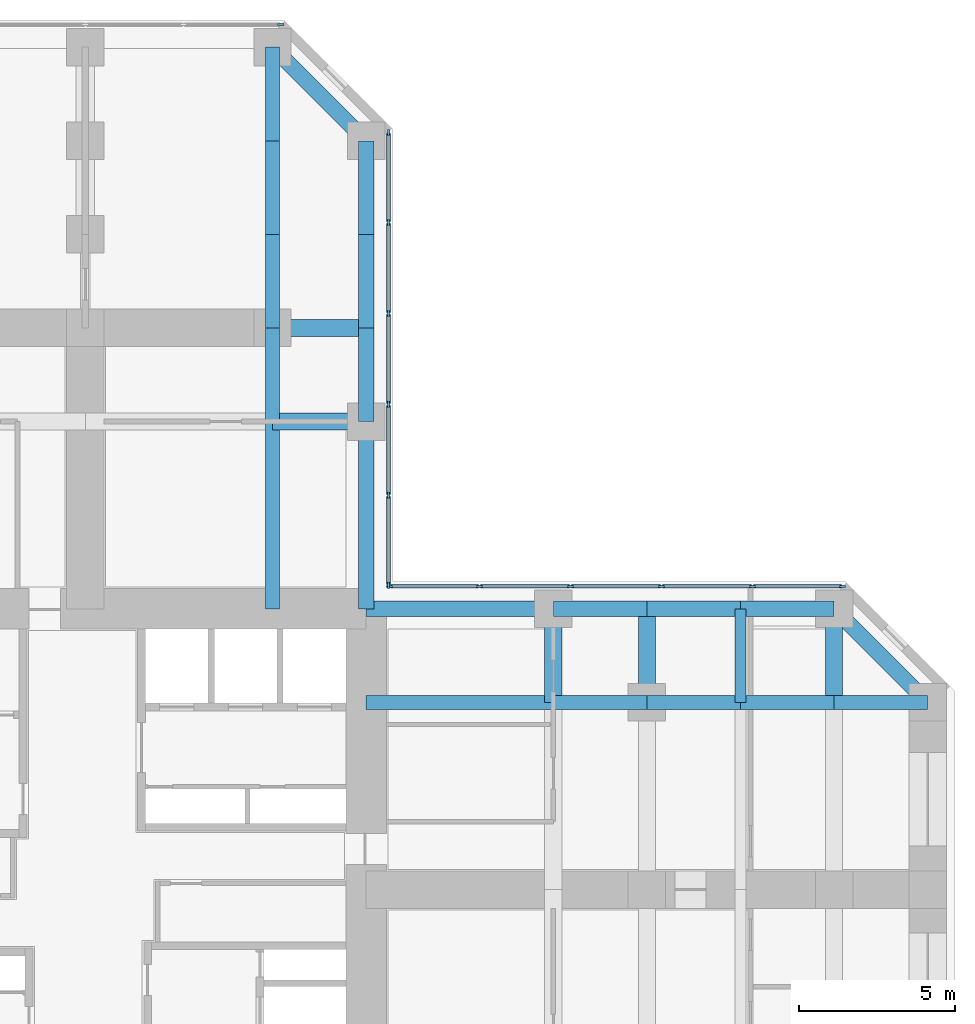
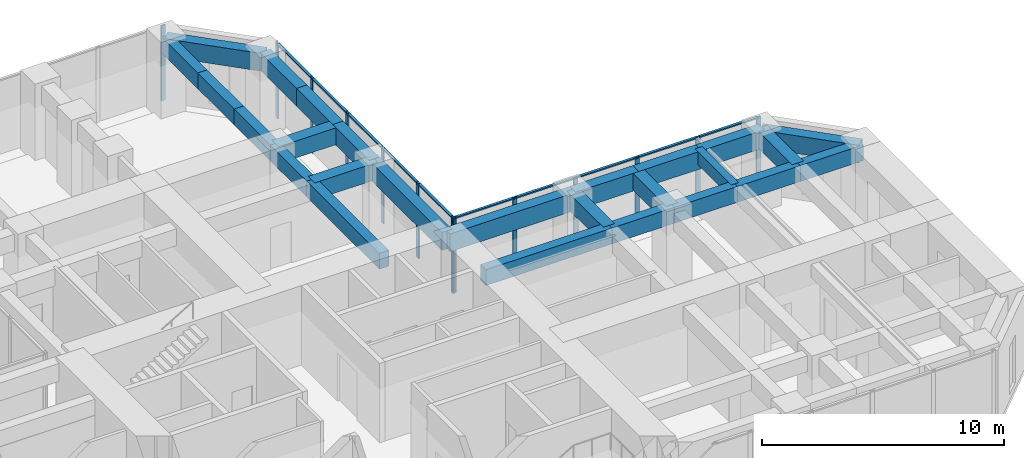
# One storey, part 6 of 13: 26 beams, 23 members, 3 elements without a shape of their own.
"""IFC4 building model written with IfcOpenShell, lengths in metres."""

from ifc_helpers import new_model, si_unit, direction, frame, origin, origin_2d, place, context, subcontext, project, spatial, rectangle, extrude, material, material_profile, profile_set, type_object, element, aggregate, save


model = new_model("IFC4")

# Units and contexts
model_context = context("Model", 3, precision=1e-05, world=origin(), true_north=direction((0.0, 1.0)))
body_context = subcontext(model_context, "Body", "Model", "MODEL_VIEW")
ifc_project = project(units=[si_unit("LENGTHUNIT", "METRE"), si_unit("AREAUNIT", "SQUARE_METRE"), si_unit("VOLUMEUNIT", "CUBIC_METRE"), si_unit("PLANEANGLEUNIT", "RADIAN"), si_unit("MASSUNIT", "GRAM", prefix="KILO")], contexts=[model_context])

# Site, building, storey
site_placement = place(None, origin())
site = spatial("IfcSite", under=ifc_project, at=site_placement, CompositionType="ELEMENT")
building_placement = place(site_placement, origin())
building = spatial("IfcBuilding", under=site, at=building_placement, Name="Torre Cruceta", CompositionType="ELEMENT")
storey_placement = place(building_placement, frame((0.0, 0.0, 51.5)))
storey = spatial("IfcBuildingStorey", under=building, at=storey_placement, Name="L12", CompositionType="ELEMENT", Elevation=51.5)

# Beams
ifc_material_1 = material(Name="Concrete G60 (fck 60 MPa)", Category="concrete")
ifc_material_profile_1 = material_profile(ifc_material_1, rectangle(XDim=0.449951171875, YDim=0.800048828125, at=origin_2d()), Name="RC 450X800")
ifc_profile_set_1 = profile_set([ifc_material_profile_1], Name="Concrete G60 (fck 60 MPa)")
beam_type_1 = type_object("IfcBeamType", Name="COLUMN LINE BEAM RC 450X800", PredefinedType="BEAM", material=ifc_profile_set_1)
beam_1_placement = place(storey_placement, frame((6.0, 9.0, 3.39990234375), z_axis=(0.0, 1.0, 0.0), x_axis=(-1.0, 0.0, 0.0)))
element("IfcBeam", 1, at=beam_1_placement, inside=storey, type_object=beam_type_1, Name="LB1 L12 N col- 1", PredefinedType="BEAM", context=body_context, shape_type="SweptSolid", body=[
    extrude(rectangle(XDim=0.449951171875, YDim=0.800048828125, at=origin_2d()), origin(), (0.0, 0.0, 1.0), 6.0),
])
for number, where, z_axis, x_axis, name in (
    (2, (6.0, 15.0, 3.39990234375), (0.0, 1.0, 0.0), (-1.0, 0.0, 0.0), "LB1 L12 N col- 2"),
    (3, (6.0, 18.0, 3.39990234375), (0.0, 1.0, 0.0), (-1.0, 0.0, 0.0), "LB1 L12 N col- 3"),
    (4, (6.0, 21.0, 3.39990234375), (0.0, 1.0, 0.0), (-1.0, 0.0, 0.0), "LB1 L12 N col- 4"),
    (5, (6.0, 24.0, 3.39990234375), (0.0, 1.0, 0.0), (-1.0, 0.0, 0.0), "LB1 L12 N col- 5"),
):
    element("IfcBeam", number, at=place(storey_placement, frame(where, z_axis=z_axis, x_axis=x_axis)), inside=storey, type_object=beam_type_1, Name=name, PredefinedType="BEAM", context=body_context, shape_type="SweptSolid", body=[
        extrude(rectangle(XDim=0.449951171875, YDim=0.800048828125, at=origin_2d()), origin(), (0.0, 0.0, 1.0), 3.0),
    ])
beam_2_placement = place(storey_placement, frame((9.0, 6.0, 3.39990234375), z_axis=(1.0, 0.0, 0.0), x_axis=(0.0, 1.0, 0.0)))
element("IfcBeam", 6, at=beam_2_placement, inside=storey, type_object=beam_type_1, Name="LB1 L12 E col+ 1", PredefinedType="BEAM", context=body_context, shape_type="SweptSolid", body=[
    extrude(rectangle(XDim=0.449951171875, YDim=0.800048828125, at=origin_2d()), origin(), (0.0, 0.0, 1.0), 6.0),
])
for number, where, z_axis, x_axis, name in (
    (7, (15.0, 6.0, 3.39990234375), (1.0, 0.0, 0.0), (0.0, 1.0, 0.0), "LB1 L12 E col+ 2"),
    (8, (18.0, 6.0, 3.39990234375), (1.0, 0.0, 0.0), (0.0, 1.0, 0.0), "LB1 L12 E col+ 3"),
    (9, (21.0, 6.0, 3.39990234375), (1.0, 0.0, 0.0), (0.0, 1.0, 0.0), "LB1 L12 E col+ 4"),
    (10, (24.0, 6.0, 3.39990234375), (1.0, 0.0, 0.0), (0.0, 1.0, 0.0), "LB1 L12 E col+ 5"),
):
    element("IfcBeam", number, at=place(storey_placement, frame(where, z_axis=z_axis, x_axis=x_axis)), inside=storey, type_object=beam_type_1, Name=name, PredefinedType="BEAM", context=body_context, shape_type="SweptSolid", body=[
        extrude(rectangle(XDim=0.449951171875, YDim=0.800048828125, at=origin_2d()), origin(), (0.0, 0.0, 1.0), 3.0),
    ])
ifc_material_2 = material(Name="Concrete G60 (fck 60 MPa)", Category="concrete")
ifc_material_profile_2 = material_profile(ifc_material_2, rectangle(XDim=0.550048828125, YDim=0.85009765625, at=origin_2d()), Name="RC 550X850")
ifc_profile_set_2 = profile_set([ifc_material_profile_2], Name="Concrete G60 (fck 60 MPa)")
beam_type_2 = type_object("IfcBeamType", Name="CROSS BEAM RC 550X850", PredefinedType="BEAM", material=ifc_profile_set_2)
for number, where, z_axis, x_axis, name in (
    (11, (9.0, 15.0, 3.375), (-1.0, 0.0, 0.0), (0.0, -1.0, 0.0), "GB4 L12 N cross15 1"),
    (12, (9.0, 18.0, 3.375), (-1.0, 0.0, 0.0), (0.0, -1.0, 0.0), "GB4 L12 N cross18 1"),
    (13, (15.0, 6.0, 3.375), (0.0, 1.0, 0.0), (-1.0, 0.0, 0.0), "GB4 L12 E cross15 4"),
    (14, (18.0, 6.0, 3.375), (0.0, 1.0, 0.0), (-1.0, 0.0, 0.0), "GB4 L12 E cross18 4"),
    (15, (24.0, 6.0, 3.375), (0.0, 1.0, 0.0), (-1.0, 0.0, 0.0), "GB4 L12 E cross24 4"),
):
    element("IfcBeam", number, at=place(storey_placement, frame(where, z_axis=z_axis, x_axis=x_axis)), inside=storey, type_object=beam_type_2, Name=name, PredefinedType="BEAM", context=body_context, shape_type="SweptSolid", body=[
        extrude(rectangle(XDim=0.550048828125, YDim=0.85009765625, at=origin_2d()), origin(), (0.0, 0.0, 1.0), 3.0),
    ])

# Curtain wall, members
ifc_material_3 = material(Name="Aluminium unitised curtain wall", Category="aluminium")
curtain_wall_type = type_object("IfcCurtainWallType", Name="CURTAIN WALL CW-A OFFICE LOW RISE", PredefinedType="USERDEFINED", material=ifc_material_3)
curtain_wall_1_placement = place(storey_placement, origin())
curtain_wall_1 = element("IfcCurtainWall", 16, at=curtain_wall_1_placement, inside=storey, type_object=curtain_wall_type, Name="CW-A L12 E side 04", ObjectType="UNITISED", PredefinedType="USERDEFINED")
ifc_material_4 = material(Name="Aluminium mullion", Category="aluminium")
ifc_material_profile_3 = material_profile(ifc_material_4, rectangle(XDim=0.06494140625, YDim=0.199951171875, at=origin_2d()), Name="AL 65X200")
ifc_profile_set_3 = profile_set([ifc_material_profile_3], Name="Aluminium mullion")
member_type_1 = type_object("IfcMemberType", Name="CW-A MULLION 65X200", PredefinedType="MULLION", material=ifc_profile_set_3)
member_1_placement = place(storey_placement, frame((24.265625, 9.719970703125, 0.0), z_axis=(0.0, 0.0, 1.0), x_axis=(0.0, -1.0, 0.0)))
member_1 = element("IfcMember", 17, at=member_1_placement, type_object=member_type_1, Name="CW-A mullion 1", PredefinedType="MULLION", context=body_context, shape_type="SweptSolid", body=[
    extrude(rectangle(XDim=0.06494140625, YDim=0.199951171875, at=origin_2d()), origin(), (0.0, 0.0, 1.0), 3.800048828125),
])
member_2_placement = place(storey_placement, frame((21.382568359375, 9.719970703125, 0.0), z_axis=(0.0, 0.0, 1.0), x_axis=(0.0, -1.0, 0.0)))
member_2 = element("IfcMember", 18, at=member_2_placement, type_object=member_type_1, Name="CW-A mullion 2", PredefinedType="MULLION", context=body_context, shape_type="SweptSolid", body=[
    extrude(rectangle(XDim=0.06494140625, YDim=0.199951171875, at=origin_2d()), origin(), (0.0, 0.0, 1.0), 3.800048828125),
])
member_3_placement = place(storey_placement, frame((18.467041015625, 9.719970703125, 0.0), z_axis=(0.0, 0.0, 1.0), x_axis=(0.0, -1.0, 0.0)))
member_3 = element("IfcMember", 19, at=member_3_placement, type_object=member_type_1, Name="CW-A mullion 3", PredefinedType="MULLION", context=body_context, shape_type="SweptSolid", body=[
    extrude(rectangle(XDim=0.06494140625, YDim=0.199951171875, at=origin_2d()), origin(), (0.0, 0.0, 1.0), 3.800048828125),
])
member_4_placement = place(storey_placement, frame((15.55126953125, 9.719970703125, 0.0), z_axis=(0.0, 0.0, 1.0), x_axis=(0.0, -1.0, 0.0)))
member_4 = element("IfcMember", 20, at=member_4_placement, type_object=member_type_1, Name="CW-A mullion 4", PredefinedType="MULLION", context=body_context, shape_type="SweptSolid", body=[
    extrude(rectangle(XDim=0.06494140625, YDim=0.199951171875, at=origin_2d()), origin(), (0.0, 0.0, 1.0), 3.800048828125),
])
member_5_placement = place(storey_placement, frame((12.6357421875, 9.719970703125, 0.0), z_axis=(0.0, 0.0, 1.0), x_axis=(0.0, -1.0, 0.0)))
member_5 = element("IfcMember", 21, at=member_5_placement, type_object=member_type_1, Name="CW-A mullion 5", PredefinedType="MULLION", context=body_context, shape_type="SweptSolid", body=[
    extrude(rectangle(XDim=0.06494140625, YDim=0.199951171875, at=origin_2d()), origin(), (0.0, 0.0, 1.0), 3.800048828125),
])
member_6_placement = place(storey_placement, frame((9.75244140625, 9.719970703125, 0.0), z_axis=(0.0, 0.0, 1.0), x_axis=(0.0, -1.0, 0.0)))
member_6 = element("IfcMember", 22, at=member_6_placement, type_object=member_type_1, Name="CW-A mullion 6", PredefinedType="MULLION", context=body_context, shape_type="SweptSolid", body=[
    extrude(rectangle(XDim=0.06494140625, YDim=0.199951171875, at=origin_2d()), origin(), (0.0, 0.0, 1.0), 3.800048828125),
])

curtain_wall_2_placement = place(storey_placement, origin())
curtain_wall_2 = element("IfcCurtainWall", 23, at=curtain_wall_2_placement, inside=storey, type_object=curtain_wall_type, Name="CW-A L12 N side 05", ObjectType="UNITISED", PredefinedType="USERDEFINED")
member_7_placement = place(storey_placement, frame((9.719970703125, 9.75244140625, 0.0), z_axis=(0.0, 0.0, 1.0), x_axis=(-1.0, 0.0, 0.0)))
member_7 = element("IfcMember", 24, at=member_7_placement, type_object=member_type_1, Name="CW-A mullion 1", PredefinedType="MULLION", context=body_context, shape_type="SweptSolid", body=[
    extrude(rectangle(XDim=0.06494140625, YDim=0.199951171875, at=origin_2d()), origin(), (0.0, 0.0, 1.0), 3.800048828125),
])
member_8_placement = place(storey_placement, frame((9.719970703125, 12.6357421875, 0.0), z_axis=(0.0, 0.0, 1.0), x_axis=(-1.0, 0.0, 0.0)))
member_8 = element("IfcMember", 25, at=member_8_placement, type_object=member_type_1, Name="CW-A mullion 2", PredefinedType="MULLION", context=body_context, shape_type="SweptSolid", body=[
    extrude(rectangle(XDim=0.06494140625, YDim=0.199951171875, at=origin_2d()), origin(), (0.0, 0.0, 1.0), 3.800048828125),
])
member_9_placement = place(storey_placement, frame((9.719970703125, 15.55126953125, 0.0), z_axis=(0.0, 0.0, 1.0), x_axis=(-1.0, 0.0, 0.0)))
member_9 = element("IfcMember", 26, at=member_9_placement, type_object=member_type_1, Name="CW-A mullion 3", PredefinedType="MULLION", context=body_context, shape_type="SweptSolid", body=[
    extrude(rectangle(XDim=0.06494140625, YDim=0.199951171875, at=origin_2d()), origin(), (0.0, 0.0, 1.0), 3.800048828125),
])
member_10_placement = place(storey_placement, frame((9.719970703125, 18.467041015625, 0.0), z_axis=(0.0, 0.0, 1.0), x_axis=(-1.0, 0.0, 0.0)))
member_10 = element("IfcMember", 27, at=member_10_placement, type_object=member_type_1, Name="CW-A mullion 4", PredefinedType="MULLION", context=body_context, shape_type="SweptSolid", body=[
    extrude(rectangle(XDim=0.06494140625, YDim=0.199951171875, at=origin_2d()), origin(), (0.0, 0.0, 1.0), 3.800048828125),
])
member_11_placement = place(storey_placement, frame((9.719970703125, 21.382568359375, 0.0), z_axis=(0.0, 0.0, 1.0), x_axis=(-1.0, 0.0, 0.0)))
member_11 = element("IfcMember", 28, at=member_11_placement, type_object=member_type_1, Name="CW-A mullion 5", PredefinedType="MULLION", context=body_context, shape_type="SweptSolid", body=[
    extrude(rectangle(XDim=0.06494140625, YDim=0.199951171875, at=origin_2d()), origin(), (0.0, 0.0, 1.0), 3.800048828125),
])
member_12_placement = place(storey_placement, frame((9.719970703125, 24.265625, 0.0), z_axis=(0.0, 0.0, 1.0), x_axis=(-1.0, 0.0, 0.0)))
member_12 = element("IfcMember", 29, at=member_12_placement, type_object=member_type_1, Name="CW-A mullion 6", PredefinedType="MULLION", context=body_context, shape_type="SweptSolid", body=[
    extrude(rectangle(XDim=0.06494140625, YDim=0.199951171875, at=origin_2d()), origin(), (0.0, 0.0, 1.0), 3.800048828125),
])

# Curtain wall, member
curtain_wall_3_placement = place(storey_placement, origin())
curtain_wall_3 = element("IfcCurtainWall", 30, at=curtain_wall_3_placement, inside=storey, type_object=curtain_wall_type, Name="CW-A L12 N tip 07", ObjectType="UNITISED", PredefinedType="USERDEFINED")
member_13_placement = place(storey_placement, frame((6.265625, 27.719970703125, 0.0), z_axis=(0.0, 0.0, 1.0), x_axis=(0.0, -1.0, 0.0)))
member_13 = element("IfcMember", 31, at=member_13_placement, type_object=member_type_1, Name="CW-A mullion 1", PredefinedType="MULLION", context=body_context, shape_type="SweptSolid", body=[
    extrude(rectangle(XDim=0.06494140625, YDim=0.199951171875, at=origin_2d()), origin(), (0.0, 0.0, 1.0), 3.800048828125),
])
aggregate(curtain_wall_3, [member_13])

# Member
ifc_material_5 = material(Name="Aluminium transom", Category="aluminium")
ifc_material_profile_4 = material_profile(ifc_material_5, rectangle(XDim=0.1201171875, YDim=0.06494140625, at=origin_2d()), Name="AL 120X65")
ifc_profile_set_4 = profile_set([ifc_material_profile_4], Name="Aluminium transom")
member_type_2 = type_object("IfcMemberType", Name="CW-A TRANSOM 65X120", PredefinedType="USERDEFINED", material=ifc_profile_set_4)
member_14_placement = place(storey_placement, frame((24.233154296875, 9.719970703125, 3.767578125), z_axis=(-1.0, 0.0, 0.0), x_axis=(0.0, -1.0, 0.0)))
member_14 = element("IfcMember", 32, at=member_14_placement, type_object=member_type_2, Name="CW-A transom 1", ObjectType="TRANSOM", PredefinedType="USERDEFINED", context=body_context, shape_type="SweptSolid", body=[
    extrude(rectangle(XDim=0.1201171875, YDim=0.06494140625, at=origin_2d()), origin(), (0.0, 0.0, 1.0), 2.818115234375),
])

member_15_placement = place(storey_placement, frame((21.35009765625, 9.719970703125, 3.767578125), z_axis=(-1.0, 0.0, 0.0), x_axis=(0.0, -1.0, 0.0)))
member_15 = element("IfcMember", 33, at=member_15_placement, type_object=member_type_2, Name="CW-A transom 2", ObjectType="TRANSOM", PredefinedType="USERDEFINED", context=body_context, shape_type="SweptSolid", body=[
    extrude(rectangle(XDim=0.1201171875, YDim=0.06494140625, at=origin_2d()), origin(), (0.0, 0.0, 1.0), 2.8505859375),
])

member_16_placement = place(storey_placement, frame((18.434326171875, 9.719970703125, 3.767578125), z_axis=(-1.0, 0.0, 0.0), x_axis=(0.0, -1.0, 0.0)))
member_16 = element("IfcMember", 34, at=member_16_placement, type_object=member_type_2, Name="CW-A transom 3", ObjectType="TRANSOM", PredefinedType="USERDEFINED", context=body_context, shape_type="SweptSolid", body=[
    extrude(rectangle(XDim=0.1201171875, YDim=0.06494140625, at=origin_2d()), origin(), (0.0, 0.0, 1.0), 2.8505859375),
])

member_17_placement = place(storey_placement, frame((15.518798828125, 9.719970703125, 3.767578125), z_axis=(-1.0, 0.0, 0.0), x_axis=(0.0, -1.0, 0.0)))
member_17 = element("IfcMember", 35, at=member_17_placement, type_object=member_type_2, Name="CW-A transom 4", ObjectType="TRANSOM", PredefinedType="USERDEFINED", context=body_context, shape_type="SweptSolid", body=[
    extrude(rectangle(XDim=0.1201171875, YDim=0.06494140625, at=origin_2d()), origin(), (0.0, 0.0, 1.0), 2.8505859375),
])

member_18_placement = place(storey_placement, frame((12.60302734375, 9.719970703125, 3.767578125), z_axis=(-1.0, 0.0, 0.0), x_axis=(0.0, -1.0, 0.0)))
member_18 = element("IfcMember", 36, at=member_18_placement, type_object=member_type_2, Name="CW-A transom 5", ObjectType="TRANSOM", PredefinedType="USERDEFINED", context=body_context, shape_type="SweptSolid", body=[
    extrude(rectangle(XDim=0.1201171875, YDim=0.06494140625, at=origin_2d()), origin(), (0.0, 0.0, 1.0), 2.818115234375),
])

aggregate(curtain_wall_1, [member_1, member_2, member_3, member_4, member_5, member_6, member_14, member_15, member_16, member_17, member_18])

member_19_placement = place(storey_placement, frame((9.719970703125, 9.784912109375, 3.767578125), z_axis=(0.0, 1.0, 0.0), x_axis=(-1.0, 0.0, 0.0)))
member_19 = element("IfcMember", 37, at=member_19_placement, type_object=member_type_2, Name="CW-A transom 1", ObjectType="TRANSOM", PredefinedType="USERDEFINED", context=body_context, shape_type="SweptSolid", body=[
    extrude(rectangle(XDim=0.1201171875, YDim=0.06494140625, at=origin_2d()), origin(), (0.0, 0.0, 1.0), 2.818115234375),
])

member_20_placement = place(storey_placement, frame((9.719970703125, 12.668212890625, 3.767578125), z_axis=(0.0, 1.0, 0.0), x_axis=(-1.0, 0.0, 0.0)))
member_20 = element("IfcMember", 38, at=member_20_placement, type_object=member_type_2, Name="CW-A transom 2", ObjectType="TRANSOM", PredefinedType="USERDEFINED", context=body_context, shape_type="SweptSolid", body=[
    extrude(rectangle(XDim=0.1201171875, YDim=0.06494140625, at=origin_2d()), origin(), (0.0, 0.0, 1.0), 2.8505859375),
])

member_21_placement = place(storey_placement, frame((9.719970703125, 15.583740234375, 3.767578125), z_axis=(0.0, 1.0, 0.0), x_axis=(-1.0, 0.0, 0.0)))
member_21 = element("IfcMember", 39, at=member_21_placement, type_object=member_type_2, Name="CW-A transom 3", ObjectType="TRANSOM", PredefinedType="USERDEFINED", context=body_context, shape_type="SweptSolid", body=[
    extrude(rectangle(XDim=0.1201171875, YDim=0.06494140625, at=origin_2d()), origin(), (0.0, 0.0, 1.0), 2.8505859375),
])

member_22_placement = place(storey_placement, frame((9.719970703125, 18.49951171875, 3.767578125), z_axis=(0.0, 1.0, 0.0), x_axis=(-1.0, 0.0, 0.0)))
member_22 = element("IfcMember", 40, at=member_22_placement, type_object=member_type_2, Name="CW-A transom 4", ObjectType="TRANSOM", PredefinedType="USERDEFINED", context=body_context, shape_type="SweptSolid", body=[
    extrude(rectangle(XDim=0.1201171875, YDim=0.06494140625, at=origin_2d()), origin(), (0.0, 0.0, 1.0), 2.8505859375),
])

member_23_placement = place(storey_placement, frame((9.719970703125, 21.4150390625, 3.767578125), z_axis=(0.0, 1.0, 0.0), x_axis=(-1.0, 0.0, 0.0)))
member_23 = element("IfcMember", 41, at=member_23_placement, type_object=member_type_2, Name="CW-A transom 5", ObjectType="TRANSOM", PredefinedType="USERDEFINED", context=body_context, shape_type="SweptSolid", body=[
    extrude(rectangle(XDim=0.1201171875, YDim=0.06494140625, at=origin_2d()), origin(), (0.0, 0.0, 1.0), 2.818115234375),
])

aggregate(curtain_wall_2, [member_7, member_8, member_9, member_10, member_11, member_12, member_19, member_20, member_21, member_22, member_23])

# Beams
ifc_material_6 = material(Name="Concrete G60 (fck 60 MPa)", Category="concrete")
ifc_material_profile_5 = material_profile(ifc_material_6, rectangle(XDim=0.35009765625, YDim=0.64990234375, at=origin_2d()), Name="RC 350X650")
ifc_profile_set_5 = profile_set([ifc_material_profile_5], Name="Concrete G60 (fck 60 MPa)")
beam_type_3 = type_object("IfcBeamType", Name="SECONDARY BEAM RC 350X650", PredefinedType="JOIST", material=ifc_profile_set_5)
beam_3_placement = place(storey_placement, frame((21.0, 6.0, 3.47509765625), z_axis=(0.0, 1.0, 0.0), x_axis=(-1.0, 0.0, 0.0)))
element("IfcBeam", 42, at=beam_3_placement, inside=storey, type_object=beam_type_3, Name="JB3 L12 E sec21 4", PredefinedType="JOIST", context=body_context, shape_type="SweptSolid", body=[
    extrude(rectangle(XDim=0.35009765625, YDim=0.64990234375, at=origin_2d()), origin(), (0.0, 0.0, 1.0), 3.0),
])
ifc_material_7 = material(Name="Concrete G60 (fck 60 MPa)", Category="concrete")
ifc_material_profile_6 = material_profile(ifc_material_7, rectangle(XDim=0.5, YDim=0.89990234375, at=origin_2d()), Name="RC 500X900")
ifc_profile_set_6 = profile_set([ifc_material_profile_6], Name="Concrete G60 (fck 60 MPa)")
beam_type_4 = type_object("IfcBeamType", Name="SPANDREL BEAM RC 500X900", PredefinedType="SPANDREL", material=ifc_profile_set_6)
beam_4_placement = place(storey_placement, frame((9.0, 9.0, 3.35009765625), z_axis=(0.0, 1.0, 0.0), x_axis=(-1.0, 0.0, 0.0)))
element("IfcBeam", 43, at=beam_4_placement, inside=storey, type_object=beam_type_4, Name="SB4 L12 N side- 1", PredefinedType="SPANDREL", context=body_context, shape_type="SweptSolid", body=[
    extrude(rectangle(XDim=0.5, YDim=0.89990234375, at=origin_2d()), origin(), (0.0, 0.0, 1.0), 6.0),
])
for number, where, z_axis, x_axis, name in (
    (44, (9.0, 15.0, 3.35009765625), (0.0, 1.0, 0.0), (-1.0, 0.0, 0.0), "SB4 L12 N side- 2"),
    (45, (9.0, 18.0, 3.35009765625), (0.0, 1.0, 0.0), (-1.0, 0.0, 0.0), "SB4 L12 N side- 3"),
    (46, (9.0, 21.0, 3.35009765625), (0.0, 1.0, 0.0), (-1.0, 0.0, 0.0), "SB4 L12 N side- 4"),
):
    element("IfcBeam", number, at=place(storey_placement, frame(where, z_axis=z_axis, x_axis=x_axis)), inside=storey, type_object=beam_type_4, Name=name, PredefinedType="SPANDREL", context=body_context, shape_type="SweptSolid", body=[
        extrude(rectangle(XDim=0.5, YDim=0.89990234375, at=origin_2d()), origin(), (0.0, 0.0, 1.0), 3.0),
    ])
beam_5_placement = place(storey_placement, frame((9.0, 24.0, 3.35009765625), z_axis=(-0.707106781187, 0.707106781187, 0.0), x_axis=(-0.707106781187, -0.707106781187, 0.0)))
element("IfcBeam", 47, at=beam_5_placement, inside=storey, type_object=beam_type_4, Name="SB4 L12 N side- 5", PredefinedType="SPANDREL", context=body_context, shape_type="SweptSolid", body=[
    extrude(rectangle(XDim=0.5, YDim=0.89990234375, at=origin_2d()), origin(), (0.0, 0.0, 1.0), 4.24267578125),
])
beam_6_placement = place(storey_placement, frame((9.0, 9.0, 3.35009765625), z_axis=(1.0, 0.0, 0.0), x_axis=(0.0, 1.0, 0.0)))
element("IfcBeam", 48, at=beam_6_placement, inside=storey, type_object=beam_type_4, Name="SB4 L12 E side+ 1", PredefinedType="SPANDREL", context=body_context, shape_type="SweptSolid", body=[
    extrude(rectangle(XDim=0.5, YDim=0.89990234375, at=origin_2d()), origin(), (0.0, 0.0, 1.0), 6.0),
])
for number, where, z_axis, x_axis, name in (
    (49, (15.0, 9.0, 3.35009765625), (1.0, 0.0, 0.0), (0.0, 1.0, 0.0), "SB4 L12 E side+ 2"),
    (50, (18.0, 9.0, 3.35009765625), (1.0, 0.0, 0.0), (0.0, 1.0, 0.0), "SB4 L12 E side+ 3"),
    (51, (21.0, 9.0, 3.35009765625), (1.0, 0.0, 0.0), (0.0, 1.0, 0.0), "SB4 L12 E side+ 4"),
):
    element("IfcBeam", number, at=place(storey_placement, frame(where, z_axis=z_axis, x_axis=x_axis)), inside=storey, type_object=beam_type_4, Name=name, PredefinedType="SPANDREL", context=body_context, shape_type="SweptSolid", body=[
        extrude(rectangle(XDim=0.5, YDim=0.89990234375, at=origin_2d()), origin(), (0.0, 0.0, 1.0), 3.0),
    ])
beam_7_placement = place(storey_placement, frame((24.0, 9.0, 3.35009765625), z_axis=(0.707106781187, -0.707106781187, 0.0), x_axis=(0.707106781187, 0.707106781187, 0.0)))
element("IfcBeam", 52, at=beam_7_placement, inside=storey, type_object=beam_type_4, Name="SB4 L12 E side+ 5", PredefinedType="SPANDREL", context=body_context, shape_type="SweptSolid", body=[
    extrude(rectangle(XDim=0.5, YDim=0.89990234375, at=origin_2d()), origin(), (0.0, 0.0, 1.0), 4.24267578125),
])

save(model, "model.ifc")
